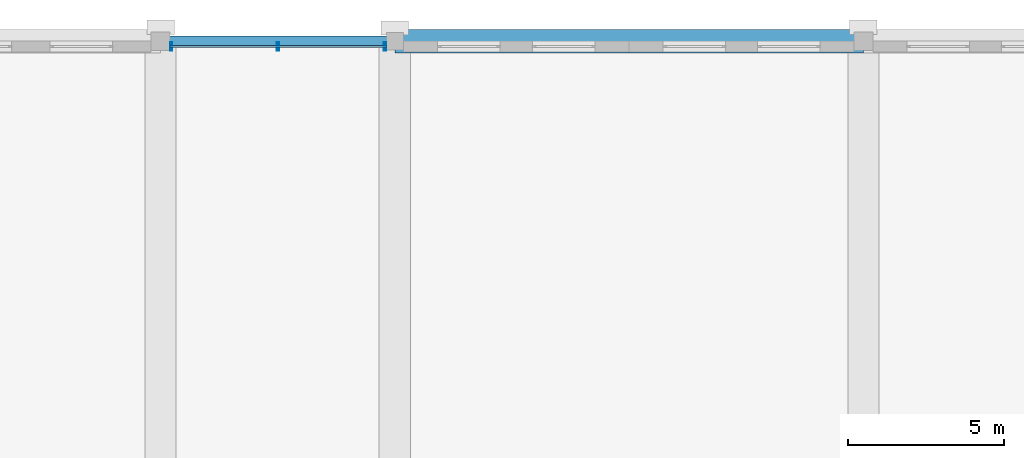
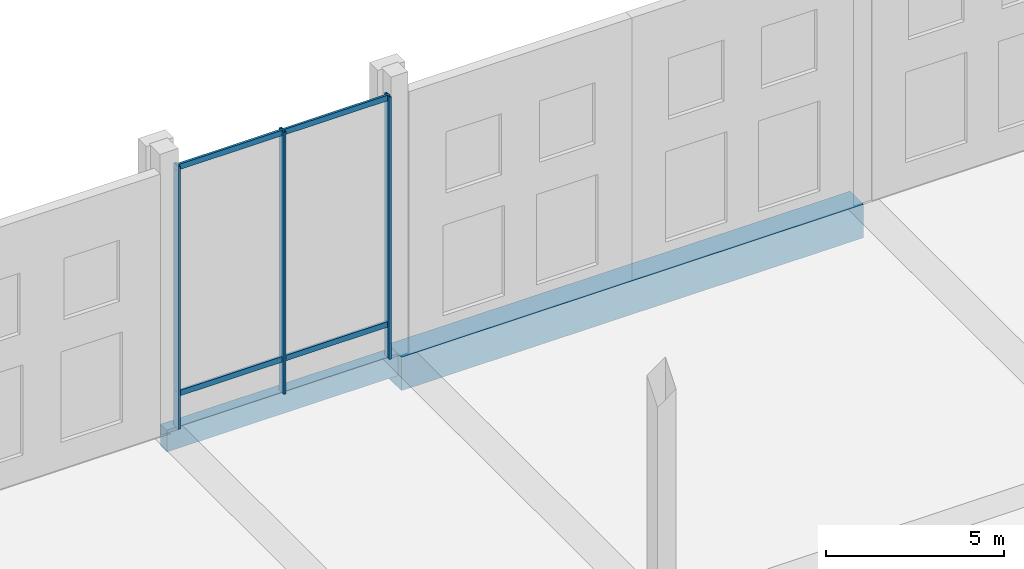
# One storey, part 39 of 80: 5 members, 2 beams, 1 element without a shape of its own.
"""IFC4 building model written with IfcOpenShell, lengths in metres."""

from ifc_helpers import new_model, si_unit, direction, frame, origin, origin_2d, place, context, subcontext, project, spatial, rectangle, hollow_rectangle, extrude, material, material_profile, profile_set, type_object, element, aggregate, save


model = new_model("IFC4")

# Units and contexts
model_context = context("Model", 3, precision=1e-05, world=origin(), true_north=direction((0.0, 1.0)))
body_context = subcontext(model_context, "Body", "Model", "MODEL_VIEW")
ifc_project = project(units=[si_unit("LENGTHUNIT", "METRE"), si_unit("AREAUNIT", "SQUARE_METRE"), si_unit("VOLUMEUNIT", "CUBIC_METRE"), si_unit("PLANEANGLEUNIT", "RADIAN"), si_unit("MASSUNIT", "GRAM", prefix="KILO")], contexts=[model_context])

# Site, building, storey
site_placement = place(None, origin())
site = spatial("IfcSite", under=ifc_project, at=site_placement, CompositionType="ELEMENT")
building_placement = place(site_placement, origin())
building = spatial("IfcBuilding", under=site, at=building_placement, Name="Akrevak Sports Hall", CompositionType="ELEMENT")
storey_placement = place(building_placement, frame((0.0, 0.0, 14.0)))
storey = spatial("IfcBuildingStorey", under=building, at=storey_placement, Name="L03", CompositionType="ELEMENT", Elevation=14.0)

# Curtain wall, members
ifc_material_1 = material(Name="Anodized Bronze Aluminium & Low-E Glass", Category="aluminium")
curtain_wall_type = type_object("IfcCurtainWallType", Name="ARC-CW-POD-64x94", PredefinedType="NOTDEFINED", material=ifc_material_1)
curtain_wall_placement = place(storey_placement, origin())
curtain_wall = element("IfcCurtainWall", 1, at=curtain_wall_placement, inside=storey, type_object=curtain_wall_type, Name="Curtain Wall CW-L03-N15", PredefinedType="NOTDEFINED")
ifc_material_2 = material(Name="Anodized Bronze Aluminium", Category="aluminium")
ifc_material_profile_1 = material_profile(ifc_material_2, hollow_rectangle(XDim=0.074951171875, YDim=0.260009765625, WallThickness=0.0048828125, at=origin_2d()), Name="CWM 75x260", Category="aluminium")
ifc_profile_set_1 = profile_set([ifc_material_profile_1], Name="Anodized Bronze Aluminium")
member_type_1 = type_object("IfcMemberType", Name="ARC-CWM-80x180", PredefinedType="MULLION", material=ifc_profile_set_1)
member_1_placement = place(storey_placement, frame((115.18505859375, 113.830078125, 0.0), z_axis=(0.0, 0.0, 1.0), x_axis=(-1.0, 0.0, 0.0)))
member_1 = element("IfcMember", 2, at=member_1_placement, type_object=member_type_1, Name="Curtain Wall Mullion CW-L03-N15-M1", PredefinedType="MULLION", context=body_context, shape_type="SweptSolid", body=[
    extrude(hollow_rectangle(XDim=0.074951171875, YDim=0.260009765625, WallThickness=0.0048828125, at=origin_2d()), origin(), (0.0, 0.0, 1.0), 9.0),
])
member_2_placement = place(storey_placement, frame((111.762451171875, 113.830078125, 0.0), z_axis=(0.0, 0.0, 1.0), x_axis=(-1.0, 0.0, 0.0)))
member_2 = element("IfcMember", 3, at=member_2_placement, type_object=member_type_1, Name="Curtain Wall Mullion CW-L03-N15-M2", PredefinedType="MULLION", context=body_context, shape_type="SweptSolid", body=[
    extrude(hollow_rectangle(XDim=0.074951171875, YDim=0.260009765625, WallThickness=0.0048828125, at=origin_2d()), origin(), (0.0, 0.0, 1.0), 9.0),
])
member_3_placement = place(storey_placement, frame((108.340087890625, 113.830078125, 0.0), z_axis=(0.0, 0.0, 1.0), x_axis=(-1.0, 0.0, 0.0)))
member_3 = element("IfcMember", 4, at=member_3_placement, type_object=member_type_1, Name="Curtain Wall Mullion CW-L03-N15-M3", PredefinedType="MULLION", context=body_context, shape_type="SweptSolid", body=[
    extrude(hollow_rectangle(XDim=0.074951171875, YDim=0.260009765625, WallThickness=0.0048828125, at=origin_2d()), origin(), (0.0, 0.0, 1.0), 9.0),
])
ifc_material_profile_2 = material_profile(ifc_material_2, hollow_rectangle(XDim=0.074951171875, YDim=0.18994140625, WallThickness=0.00439453125, at=origin_2d()), Name="CWT 75x190", Category="aluminium")
ifc_profile_set_2 = profile_set([ifc_material_profile_2], Name="Anodized Bronze Aluminium")
member_type_2 = type_object("IfcMemberType", Name="ARC-CWT-80x150", PredefinedType="USERDEFINED", material=ifc_profile_set_2)
member_4_placement = place(storey_placement, frame((115.22509765625, 113.830078125, 1.14990234375), z_axis=(-1.0, 0.0, 0.0), x_axis=(0.0, -1.0, 0.0)))
member_4 = element("IfcMember", 5, at=member_4_placement, type_object=member_type_2, Name="Curtain Wall Transom CW-L03-N15-T1", ObjectType="TRANSOM", PredefinedType="USERDEFINED", context=body_context, shape_type="SweptSolid", body=[
    extrude(hollow_rectangle(XDim=0.074951171875, YDim=0.18994140625, WallThickness=0.00439453125, at=origin_2d()), origin(), (0.0, 0.0, 1.0), 6.925048828125),
])
member_5_placement = place(storey_placement, frame((115.22509765625, 113.830078125, 8.919921875), z_axis=(-1.0, 0.0, 0.0), x_axis=(0.0, -1.0, 0.0)))
member_5 = element("IfcMember", 6, at=member_5_placement, type_object=member_type_2, Name="Curtain Wall Transom CW-L03-N15-T2", ObjectType="TRANSOM", PredefinedType="USERDEFINED", context=body_context, shape_type="SweptSolid", body=[
    extrude(hollow_rectangle(XDim=0.074951171875, YDim=0.18994140625, WallThickness=0.00439453125, at=origin_2d()), origin(), (0.0, 0.0, 1.0), 6.925048828125),
])
aggregate(curtain_wall, [member_1, member_2, member_3, member_4, member_5])

# Beams
ifc_material_3 = material(Name="Concrete C50/60", Category="concrete")
ifc_material_profile_3 = material_profile(ifc_material_3, rectangle(XDim=0.75, YDim=1.14990234375, at=origin_2d()), Name="SPD 750x1150", Category="concrete")
ifc_profile_set_3 = profile_set([ifc_material_profile_3], Name="Concrete C50/60")
beam_type_1 = type_object("IfcBeamType", Name="STR-SPD-LSP750x1150", PredefinedType="SPANDREL", material=ifc_profile_set_3)
beam_1_placement = place(storey_placement, frame((115.5, 114.0, -0.574951171875), z_axis=(1.0, 0.0, 0.0), x_axis=(0.0, 1.0, 0.0)))
element("IfcBeam", 7, at=beam_1_placement, inside=storey, type_object=beam_type_1, Name="Girder Q/16-18 (L03)", PredefinedType="SPANDREL", context=body_context, shape_type="SweptSolid", body=[
    extrude(rectangle(XDim=0.75, YDim=1.14990234375, at=origin_2d()), origin(), (0.0, 0.0, 1.0), 15.0),
])
ifc_material_4 = material(Name="Concrete C40/50", Category="concrete")
ifc_material_profile_4 = material_profile(ifc_material_4, rectangle(XDim=0.35009765625, YDim=0.75, at=origin_2d()), Name="SPD 350x750", Category="concrete")
ifc_profile_set_4 = profile_set([ifc_material_profile_4], Name="Concrete C40/50")
beam_type_2 = type_object("IfcBeamType", Name="STR-SPD-RC350x750", PredefinedType="SPANDREL", material=ifc_profile_set_4)
beam_2_placement = place(storey_placement, frame((108.0, 114.0, -0.375), z_axis=(1.0, 0.0, 0.0), x_axis=(0.0, 1.0, 0.0)))
element("IfcBeam", 8, at=beam_2_placement, inside=storey, type_object=beam_type_2, Name="Girder Q/15-16 (L03)", PredefinedType="SPANDREL", context=body_context, shape_type="SweptSolid", body=[
    extrude(rectangle(XDim=0.35009765625, YDim=0.75, at=origin_2d()), origin(), (0.0, 0.0, 1.0), 7.5),
])

save(model, "model.ifc")
